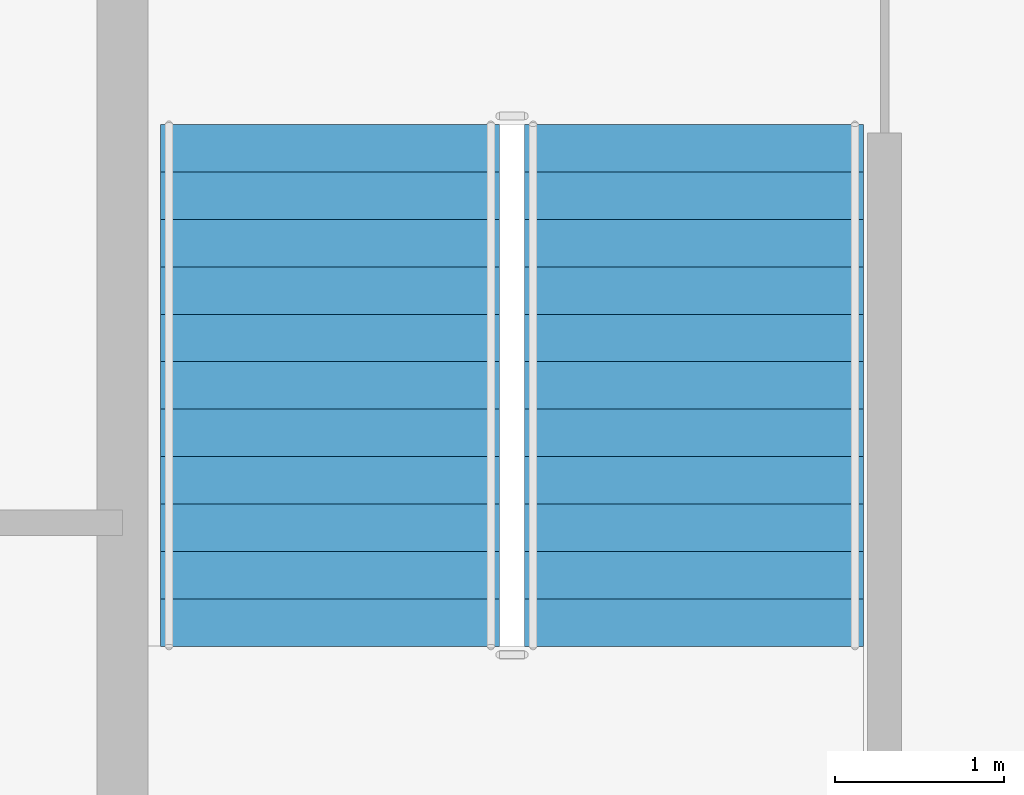
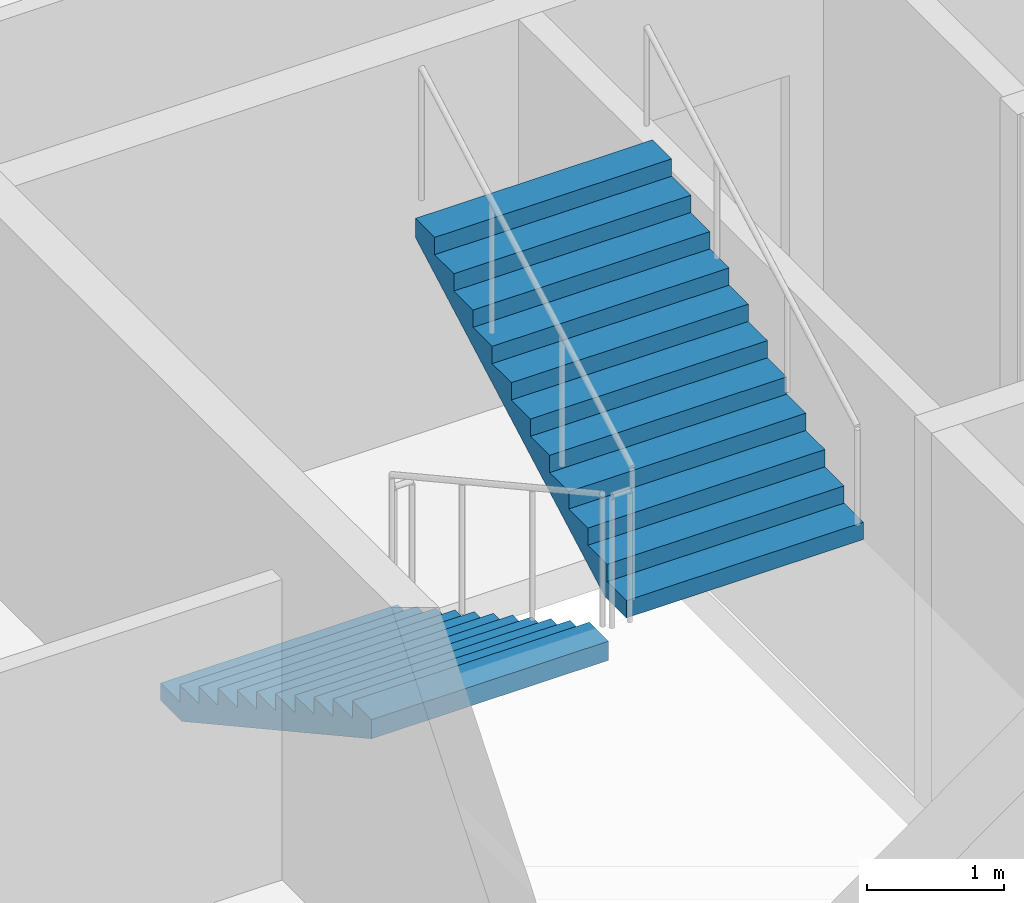
# One storey, part 9 of 17: 2 stair flights, 1 element without a shape of its own.
"""IFC4 building model written with IfcOpenShell, lengths in metres."""

from ifc_helpers import new_model, si_unit, direction, frame, origin, place, context, subcontext, project, spatial, polygons, material, type_object, element, aggregate, save


model = new_model("IFC4")

# Units and contexts
model_context = context("Model", 3, precision=1e-05, world=origin(), true_north=direction((0.0, 1.0)))
body_context = subcontext(model_context, "Body", "Model", "MODEL_VIEW")
ifc_project = project(units=[si_unit("LENGTHUNIT", "METRE"), si_unit("AREAUNIT", "SQUARE_METRE"), si_unit("VOLUMEUNIT", "CUBIC_METRE"), si_unit("PLANEANGLEUNIT", "RADIAN"), si_unit("MASSUNIT", "GRAM", prefix="KILO")], contexts=[model_context])

# Site, building, storey
site_placement = place(None, origin())
site = spatial("IfcSite", under=ifc_project, at=site_placement, CompositionType="ELEMENT")
building_placement = place(site_placement, origin())
building = spatial("IfcBuilding", under=site, at=building_placement, Name="Caravel Reach Hotel and Residences", CompositionType="ELEMENT")
storey_placement = place(building_placement, frame((0.0, 0.0, 192.39990234375)))
storey = spatial("IfcBuildingStorey", under=building, at=storey_placement, Name="L48", CompositionType="ELEMENT", Elevation=192.39990234375)

# Stair, stair flights
ifc_material_1 = material(Name="Concrete C40", Category="concrete")
stair_type = type_object("IfcStairType", Name="Core stair", PredefinedType="HALF_TURN_STAIR", material=ifc_material_1)
stair_placement = place(storey_placement, origin())
stair = element("IfcStair", 1, at=stair_placement, inside=storey, type_object=stair_type, Name="L48 Exit stair A", PredefinedType="HALF_TURN_STAIR")
ifc_material_2 = material(Name="Concrete C40", Category="concrete")
stair_flight_type = type_object("IfcStairFlightType", Name="Core stair flight", PredefinedType="STRAIGHT", material=ifc_material_2)
stair_flight_1_placement = place(storey_placement, frame((19.22509765625, 29.35009765625, 0.0), z_axis=(0.0, 0.0, 1.0), x_axis=(0.0, -1.0, 0.0)))
stair_flight_1 = element("IfcStairFlight", 2, at=stair_flight_1_placement, type_object=stair_flight_type, Name="ST-A flight 1", NumberOfRisers=12, NumberOfTreads=11, PredefinedType="STRAIGHT", RiserHeight=0.154166667, TreadLength=0.28, context=body_context, shape_type="Tessellation", body=[
    polygons([(0.3107950034306102, 1.0, 0.0), (0.3107950034306102, 0.6666666666666667, 0.0), (0.3107950034306102, 0.33333333333333337, 0.0), (0.3107950034306102, 0.0, 0.0), (0.3107950034306102, -0.33333333333333326, 0.0), (0.3107950034306102, -0.6666666666666667, 0.0), (0.3107950034306102, -1.0, 0.0), (3.081, 1.0, 1.524711087717319), (3.081, 0.6666666666666667, 1.524711087717319), (3.081, 0.33333333333333337, 1.524711087717319), (3.081, 0.0, 1.524711087717319), (3.081, -0.33333333333333326, 1.524711087717319), (3.081, -0.6666666666666667, 1.524711087717319), (3.081, -1.0, 1.524711087717319), (3.081, 1.0, 1.695833337), (3.081, 0.6666666666666667, 1.695833337), (3.081, 0.33333333333333337, 1.695833337), (3.081, 0.0, 1.695833337), (3.081, -0.33333333333333326, 1.695833337), (3.081, -0.6666666666666667, 1.695833337), (3.081, -1.0, 1.695833337), (2.8000000000000003, 1.0, 1.695833337), (2.8000000000000003, 0.6666666666666667, 1.695833337), (2.8000000000000003, 0.33333333333333337, 1.695833337), (2.8000000000000003, 0.0, 1.695833337), (2.8000000000000003, -0.33333333333333326, 1.695833337), (2.8000000000000003, -0.6666666666666667, 1.695833337), (2.8000000000000003, -1.0, 1.695833337), (2.8000000000000003, 1.0, 1.5416666700000001), (2.8000000000000003, 0.6666666666666667, 1.5416666700000001), (2.8000000000000003, 0.33333333333333337, 1.5416666700000001), (2.8000000000000003, 0.0, 1.5416666700000001), (2.8000000000000003, -0.33333333333333326, 1.5416666700000001), (2.8000000000000003, -0.6666666666666667, 1.5416666700000001), (2.8000000000000003, -1.0, 1.5416666700000001), (2.5200000000000005, 1.0, 1.5416666700000001), (2.5200000000000005, 0.6666666666666667, 1.5416666700000001), (2.5200000000000005, 0.33333333333333337, 1.5416666700000001), (2.5200000000000005, 0.0, 1.5416666700000001), (2.5200000000000005, -0.33333333333333326, 1.5416666700000001), (2.5200000000000005, -0.6666666666666667, 1.5416666700000001), (2.5200000000000005, -1.0, 1.5416666700000001), (2.5200000000000005, 1.0, 1.387500003), (2.5200000000000005, 0.6666666666666667, 1.387500003), (2.5200000000000005, 0.33333333333333337, 1.387500003), (2.5200000000000005, 0.0, 1.387500003), (2.5200000000000005, -0.33333333333333326, 1.387500003), (2.5200000000000005, -0.6666666666666667, 1.387500003), (2.5200000000000005, -1.0, 1.387500003), (2.24, 1.0, 1.387500003), (2.24, 0.6666666666666667, 1.387500003), (2.24, 0.33333333333333337, 1.387500003), (2.24, 0.0, 1.387500003), (2.24, -0.33333333333333326, 1.387500003), (2.24, -0.6666666666666667, 1.387500003), (2.24, -1.0, 1.387500003), (2.24, 1.0, 1.233333336), (2.24, 0.6666666666666667, 1.233333336), (2.24, 0.33333333333333337, 1.233333336), (2.24, 0.0, 1.233333336), (2.24, -0.33333333333333326, 1.233333336), (2.24, -0.6666666666666667, 1.233333336), (2.24, -1.0, 1.233333336), (1.9600000000000002, 1.0, 1.233333336), (1.9600000000000002, 0.6666666666666667, 1.233333336), (1.9600000000000002, 0.33333333333333337, 1.233333336), (1.9600000000000002, 0.0, 1.233333336), (1.9600000000000002, -0.33333333333333326, 1.233333336), (1.9600000000000002, -0.6666666666666667, 1.233333336), (1.9600000000000002, -1.0, 1.233333336), (1.9600000000000002, 1.0, 1.0791666690000001), (1.9600000000000002, 0.6666666666666667, 1.0791666690000001), (1.9600000000000002, 0.33333333333333337, 1.0791666690000001), (1.9600000000000002, 0.0, 1.0791666690000001), (1.9600000000000002, -0.33333333333333326, 1.0791666690000001), (1.9600000000000002, -0.6666666666666667, 1.0791666690000001), (1.9600000000000002, -1.0, 1.0791666690000001), (1.6800000000000002, 1.0, 1.0791666690000001), (1.6800000000000002, 0.6666666666666667, 1.0791666690000001), (1.6800000000000002, 0.33333333333333337, 1.0791666690000001), (1.6800000000000002, 0.0, 1.0791666690000001), (1.6800000000000002, -0.33333333333333326, 1.0791666690000001), (1.6800000000000002, -0.6666666666666667, 1.0791666690000001), (1.6800000000000002, -1.0, 1.0791666690000001), (1.6800000000000002, 1.0, 0.925000002), (1.6800000000000002, 0.6666666666666667, 0.925000002), (1.6800000000000002, 0.33333333333333337, 0.925000002), (1.6800000000000002, 0.0, 0.925000002), (1.6800000000000002, -0.33333333333333326, 0.925000002), (1.6800000000000002, -0.6666666666666667, 0.925000002), (1.6800000000000002, -1.0, 0.925000002), (1.4000000000000001, 1.0, 0.925000002), (1.4000000000000001, 0.6666666666666667, 0.925000002), (1.4000000000000001, 0.33333333333333337, 0.925000002), (1.4000000000000001, 0.0, 0.925000002), (1.4000000000000001, -0.33333333333333326, 0.925000002), (1.4000000000000001, -0.6666666666666667, 0.925000002), (1.4000000000000001, -1.0, 0.925000002), (1.4000000000000001, 1.0, 0.7708333350000001), (1.4000000000000001, 0.6666666666666667, 0.7708333350000001), (1.4000000000000001, 0.33333333333333337, 0.7708333350000001), (1.4000000000000001, 0.0, 0.7708333350000001), (1.4000000000000001, -0.33333333333333326, 0.7708333350000001), (1.4000000000000001, -0.6666666666666667, 0.7708333350000001), (1.4000000000000001, -1.0, 0.7708333350000001), (1.12, 1.0, 0.7708333350000001), (1.12, 0.6666666666666667, 0.7708333350000001), (1.12, 0.33333333333333337, 0.7708333350000001), (1.12, 0.0, 0.7708333350000001), (1.12, -0.33333333333333326, 0.7708333350000001), (1.12, -0.6666666666666667, 0.7708333350000001), (1.12, -1.0, 0.7708333350000001), (1.12, 1.0, 0.616666668), (1.12, 0.6666666666666667, 0.616666668), (1.12, 0.33333333333333337, 0.616666668), (1.12, 0.0, 0.616666668), (1.12, -0.33333333333333326, 0.616666668), (1.12, -0.6666666666666667, 0.616666668), (1.12, -1.0, 0.616666668), (0.8400000000000001, 1.0, 0.616666668), (0.8400000000000001, 0.6666666666666667, 0.616666668), (0.8400000000000001, 0.33333333333333337, 0.616666668), (0.8400000000000001, 0.0, 0.616666668), (0.8400000000000001, -0.33333333333333326, 0.616666668), (0.8400000000000001, -0.6666666666666667, 0.616666668), (0.8400000000000001, -1.0, 0.616666668), (0.8400000000000001, 1.0, 0.462500001), (0.8400000000000001, 0.6666666666666667, 0.462500001), (0.8400000000000001, 0.33333333333333337, 0.462500001), (0.8400000000000001, 0.0, 0.462500001), (0.8400000000000001, -0.33333333333333326, 0.462500001), (0.8400000000000001, -0.6666666666666667, 0.462500001), (0.8400000000000001, -1.0, 0.462500001), (0.56, 1.0, 0.462500001), (0.56, 0.6666666666666667, 0.462500001), (0.56, 0.33333333333333337, 0.462500001), (0.56, 0.0, 0.462500001), (0.56, -0.33333333333333326, 0.462500001), (0.56, -0.6666666666666667, 0.462500001), (0.56, -1.0, 0.462500001), (0.56, 1.0, 0.308333334), (0.56, 0.6666666666666667, 0.308333334), (0.56, 0.33333333333333337, 0.308333334), (0.56, 0.0, 0.308333334), (0.56, -0.33333333333333326, 0.308333334), (0.56, -0.6666666666666667, 0.308333334), (0.56, -1.0, 0.308333334), (0.28, 1.0, 0.308333334), (0.28, 0.6666666666666667, 0.308333334), (0.28, 0.33333333333333337, 0.308333334), (0.28, 0.0, 0.308333334), (0.28, -0.33333333333333326, 0.308333334), (0.28, -0.6666666666666667, 0.308333334), (0.28, -1.0, 0.308333334), (0.28, 1.0, 0.154166667), (0.28, 0.6666666666666667, 0.154166667), (0.28, 0.33333333333333337, 0.154166667), (0.28, 0.0, 0.154166667), (0.28, -0.33333333333333326, 0.154166667), (0.28, -0.6666666666666667, 0.154166667), (0.28, -1.0, 0.154166667), (-0.001, 1.0, 0.154166667), (-0.001, 0.6666666666666667, 0.154166667), (-0.001, 0.33333333333333337, 0.154166667), (-0.001, 0.0, 0.154166667), (-0.001, -0.33333333333333326, 0.154166667), (-0.001, -0.6666666666666667, 0.154166667), (-0.001, -1.0, 0.154166667), (-0.001, 1.0, 0.0), (-0.001, 0.6666666666666667, 0.0), (-0.001, 0.33333333333333337, 0.0), (-0.001, 0.0, 0.0), (-0.001, -0.33333333333333326, 0.0), (-0.001, -0.6666666666666667, 0.0), (-0.001, -1.0, 0.0)], [[[169, 162, 155, 148, 141, 134, 127, 120, 113, 106, 99, 92, 85, 78, 71, 64, 57, 50, 43, 36, 29, 22, 15, 8, 1]], [[7, 14, 21, 28, 35, 42, 49, 56, 63, 70, 77, 84, 91, 98, 105, 112, 119, 126, 133, 140, 147, 154, 161, 168, 175]], [[1, 8, 9, 2]], [[2, 9, 10, 3]], [[3, 10, 11, 4]], [[4, 11, 12, 5]], [[5, 12, 13, 6]], [[6, 13, 14, 7]], [[8, 15, 16, 9]], [[9, 16, 17, 10]], [[10, 17, 18, 11]], [[11, 18, 19, 12]], [[12, 19, 20, 13]], [[13, 20, 21, 14]], [[15, 22, 23, 16]], [[16, 23, 24, 17]], [[17, 24, 25, 18]], [[18, 25, 26, 19]], [[19, 26, 27, 20]], [[20, 27, 28, 21]], [[22, 29, 30, 23]], [[23, 30, 31, 24]], [[24, 31, 32, 25]], [[25, 32, 33, 26]], [[26, 33, 34, 27]], [[27, 34, 35, 28]], [[29, 36, 37, 30]], [[30, 37, 38, 31]], [[31, 38, 39, 32]], [[32, 39, 40, 33]], [[33, 40, 41, 34]], [[34, 41, 42, 35]], [[36, 43, 44, 37]], [[37, 44, 45, 38]], [[38, 45, 46, 39]], [[39, 46, 47, 40]], [[40, 47, 48, 41]], [[41, 48, 49, 42]], [[43, 50, 51, 44]], [[44, 51, 52, 45]], [[45, 52, 53, 46]], [[46, 53, 54, 47]], [[47, 54, 55, 48]], [[48, 55, 56, 49]], [[50, 57, 58, 51]], [[51, 58, 59, 52]], [[52, 59, 60, 53]], [[53, 60, 61, 54]], [[54, 61, 62, 55]], [[55, 62, 63, 56]], [[57, 64, 65, 58]], [[58, 65, 66, 59]], [[59, 66, 67, 60]], [[60, 67, 68, 61]], [[61, 68, 69, 62]], [[62, 69, 70, 63]], [[64, 71, 72, 65]], [[65, 72, 73, 66]], [[66, 73, 74, 67]], [[67, 74, 75, 68]], [[68, 75, 76, 69]], [[69, 76, 77, 70]], [[71, 78, 79, 72]], [[72, 79, 80, 73]], [[73, 80, 81, 74]], [[74, 81, 82, 75]], [[75, 82, 83, 76]], [[76, 83, 84, 77]], [[78, 85, 86, 79]], [[79, 86, 87, 80]], [[80, 87, 88, 81]], [[81, 88, 89, 82]], [[82, 89, 90, 83]], [[83, 90, 91, 84]], [[85, 92, 93, 86]], [[86, 93, 94, 87]], [[87, 94, 95, 88]], [[88, 95, 96, 89]], [[89, 96, 97, 90]], [[90, 97, 98, 91]], [[92, 99, 100, 93]], [[93, 100, 101, 94]], [[94, 101, 102, 95]], [[95, 102, 103, 96]], [[96, 103, 104, 97]], [[97, 104, 105, 98]], [[99, 106, 107, 100]], [[100, 107, 108, 101]], [[101, 108, 109, 102]], [[102, 109, 110, 103]], [[103, 110, 111, 104]], [[104, 111, 112, 105]], [[106, 113, 114, 107]], [[107, 114, 115, 108]], [[108, 115, 116, 109]], [[109, 116, 117, 110]], [[110, 117, 118, 111]], [[111, 118, 119, 112]], [[113, 120, 121, 114]], [[114, 121, 122, 115]], [[115, 122, 123, 116]], [[116, 123, 124, 117]], [[117, 124, 125, 118]], [[118, 125, 126, 119]], [[120, 127, 128, 121]], [[121, 128, 129, 122]], [[122, 129, 130, 123]], [[123, 130, 131, 124]], [[124, 131, 132, 125]], [[125, 132, 133, 126]], [[127, 134, 135, 128]], [[128, 135, 136, 129]], [[129, 136, 137, 130]], [[130, 137, 138, 131]], [[131, 138, 139, 132]], [[132, 139, 140, 133]], [[134, 141, 142, 135]], [[135, 142, 143, 136]], [[136, 143, 144, 137]], [[137, 144, 145, 138]], [[138, 145, 146, 139]], [[139, 146, 147, 140]], [[141, 148, 149, 142]], [[142, 149, 150, 143]], [[143, 150, 151, 144]], [[144, 151, 152, 145]], [[145, 152, 153, 146]], [[146, 153, 154, 147]], [[148, 155, 156, 149]], [[149, 156, 157, 150]], [[150, 157, 158, 151]], [[151, 158, 159, 152]], [[152, 159, 160, 153]], [[153, 160, 161, 154]], [[155, 162, 163, 156]], [[156, 163, 164, 157]], [[157, 164, 165, 158]], [[158, 165, 166, 159]], [[159, 166, 167, 160]], [[160, 167, 168, 161]], [[162, 169, 170, 163]], [[163, 170, 171, 164]], [[164, 171, 172, 165]], [[165, 172, 173, 166]], [[166, 173, 174, 167]], [[167, 174, 175, 168]], [[169, 1, 2, 170]], [[170, 2, 3, 171]], [[171, 3, 4, 172]], [[172, 4, 5, 173]], [[173, 5, 6, 174]], [[174, 6, 7, 175]]], closed=True),
])
stair_flight_2_placement = place(storey_placement, frame((21.375, 26.27001953125, 1.85009765625), z_axis=(0.0, 0.0, 1.0), x_axis=(0.0, 1.0, 0.0)))
stair_flight_2 = element("IfcStairFlight", 3, at=stair_flight_2_placement, type_object=stair_flight_type, Name="ST-A flight 2", NumberOfRisers=12, NumberOfTreads=11, PredefinedType="STRAIGHT", RiserHeight=0.154166667, TreadLength=0.28, context=body_context, shape_type="Tessellation", body=[
    polygons([(0.3107950034306102, 1.0, 0.0), (0.3107950034306102, 0.6666666666666667, 0.0), (0.3107950034306102, 0.33333333333333337, 0.0), (0.3107950034306102, 0.0, 0.0), (0.3107950034306102, -0.33333333333333326, 0.0), (0.3107950034306102, -0.6666666666666667, 0.0), (0.3107950034306102, -1.0, 0.0), (3.081, 1.0, 1.524711087717319), (3.081, 0.6666666666666667, 1.524711087717319), (3.081, 0.33333333333333337, 1.524711087717319), (3.081, 0.0, 1.524711087717319), (3.081, -0.33333333333333326, 1.524711087717319), (3.081, -0.6666666666666667, 1.524711087717319), (3.081, -1.0, 1.524711087717319), (3.081, 1.0, 1.695833337), (3.081, 0.6666666666666667, 1.695833337), (3.081, 0.33333333333333337, 1.695833337), (3.081, 0.0, 1.695833337), (3.081, -0.33333333333333326, 1.695833337), (3.081, -0.6666666666666667, 1.695833337), (3.081, -1.0, 1.695833337), (2.8000000000000003, 1.0, 1.695833337), (2.8000000000000003, 0.6666666666666667, 1.695833337), (2.8000000000000003, 0.33333333333333337, 1.695833337), (2.8000000000000003, 0.0, 1.695833337), (2.8000000000000003, -0.33333333333333326, 1.695833337), (2.8000000000000003, -0.6666666666666667, 1.695833337), (2.8000000000000003, -1.0, 1.695833337), (2.8000000000000003, 1.0, 1.5416666700000001), (2.8000000000000003, 0.6666666666666667, 1.5416666700000001), (2.8000000000000003, 0.33333333333333337, 1.5416666700000001), (2.8000000000000003, 0.0, 1.5416666700000001), (2.8000000000000003, -0.33333333333333326, 1.5416666700000001), (2.8000000000000003, -0.6666666666666667, 1.5416666700000001), (2.8000000000000003, -1.0, 1.5416666700000001), (2.5200000000000005, 1.0, 1.5416666700000001), (2.5200000000000005, 0.6666666666666667, 1.5416666700000001), (2.5200000000000005, 0.33333333333333337, 1.5416666700000001), (2.5200000000000005, 0.0, 1.5416666700000001), (2.5200000000000005, -0.33333333333333326, 1.5416666700000001), (2.5200000000000005, -0.6666666666666667, 1.5416666700000001), (2.5200000000000005, -1.0, 1.5416666700000001), (2.5200000000000005, 1.0, 1.387500003), (2.5200000000000005, 0.6666666666666667, 1.387500003), (2.5200000000000005, 0.33333333333333337, 1.387500003), (2.5200000000000005, 0.0, 1.387500003), (2.5200000000000005, -0.33333333333333326, 1.387500003), (2.5200000000000005, -0.6666666666666667, 1.387500003), (2.5200000000000005, -1.0, 1.387500003), (2.24, 1.0, 1.387500003), (2.24, 0.6666666666666667, 1.387500003), (2.24, 0.33333333333333337, 1.387500003), (2.24, 0.0, 1.387500003), (2.24, -0.33333333333333326, 1.387500003), (2.24, -0.6666666666666667, 1.387500003), (2.24, -1.0, 1.387500003), (2.24, 1.0, 1.233333336), (2.24, 0.6666666666666667, 1.233333336), (2.24, 0.33333333333333337, 1.233333336), (2.24, 0.0, 1.233333336), (2.24, -0.33333333333333326, 1.233333336), (2.24, -0.6666666666666667, 1.233333336), (2.24, -1.0, 1.233333336), (1.9600000000000002, 1.0, 1.233333336), (1.9600000000000002, 0.6666666666666667, 1.233333336), (1.9600000000000002, 0.33333333333333337, 1.233333336), (1.9600000000000002, 0.0, 1.233333336), (1.9600000000000002, -0.33333333333333326, 1.233333336), (1.9600000000000002, -0.6666666666666667, 1.233333336), (1.9600000000000002, -1.0, 1.233333336), (1.9600000000000002, 1.0, 1.0791666690000001), (1.9600000000000002, 0.6666666666666667, 1.0791666690000001), (1.9600000000000002, 0.33333333333333337, 1.0791666690000001), (1.9600000000000002, 0.0, 1.0791666690000001), (1.9600000000000002, -0.33333333333333326, 1.0791666690000001), (1.9600000000000002, -0.6666666666666667, 1.0791666690000001), (1.9600000000000002, -1.0, 1.0791666690000001), (1.6800000000000002, 1.0, 1.0791666690000001), (1.6800000000000002, 0.6666666666666667, 1.0791666690000001), (1.6800000000000002, 0.33333333333333337, 1.0791666690000001), (1.6800000000000002, 0.0, 1.0791666690000001), (1.6800000000000002, -0.33333333333333326, 1.0791666690000001), (1.6800000000000002, -0.6666666666666667, 1.0791666690000001), (1.6800000000000002, -1.0, 1.0791666690000001), (1.6800000000000002, 1.0, 0.925000002), (1.6800000000000002, 0.6666666666666667, 0.925000002), (1.6800000000000002, 0.33333333333333337, 0.925000002), (1.6800000000000002, 0.0, 0.925000002), (1.6800000000000002, -0.33333333333333326, 0.925000002), (1.6800000000000002, -0.6666666666666667, 0.925000002), (1.6800000000000002, -1.0, 0.925000002), (1.4000000000000001, 1.0, 0.925000002), (1.4000000000000001, 0.6666666666666667, 0.925000002), (1.4000000000000001, 0.33333333333333337, 0.925000002), (1.4000000000000001, 0.0, 0.925000002), (1.4000000000000001, -0.33333333333333326, 0.925000002), (1.4000000000000001, -0.6666666666666667, 0.925000002), (1.4000000000000001, -1.0, 0.925000002), (1.4000000000000001, 1.0, 0.7708333350000001), (1.4000000000000001, 0.6666666666666667, 0.7708333350000001), (1.4000000000000001, 0.33333333333333337, 0.7708333350000001), (1.4000000000000001, 0.0, 0.7708333350000001), (1.4000000000000001, -0.33333333333333326, 0.7708333350000001), (1.4000000000000001, -0.6666666666666667, 0.7708333350000001), (1.4000000000000001, -1.0, 0.7708333350000001), (1.12, 1.0, 0.7708333350000001), (1.12, 0.6666666666666667, 0.7708333350000001), (1.12, 0.33333333333333337, 0.7708333350000001), (1.12, 0.0, 0.7708333350000001), (1.12, -0.33333333333333326, 0.7708333350000001), (1.12, -0.6666666666666667, 0.7708333350000001), (1.12, -1.0, 0.7708333350000001), (1.12, 1.0, 0.616666668), (1.12, 0.6666666666666667, 0.616666668), (1.12, 0.33333333333333337, 0.616666668), (1.12, 0.0, 0.616666668), (1.12, -0.33333333333333326, 0.616666668), (1.12, -0.6666666666666667, 0.616666668), (1.12, -1.0, 0.616666668), (0.8400000000000001, 1.0, 0.616666668), (0.8400000000000001, 0.6666666666666667, 0.616666668), (0.8400000000000001, 0.33333333333333337, 0.616666668), (0.8400000000000001, 0.0, 0.616666668), (0.8400000000000001, -0.33333333333333326, 0.616666668), (0.8400000000000001, -0.6666666666666667, 0.616666668), (0.8400000000000001, -1.0, 0.616666668), (0.8400000000000001, 1.0, 0.462500001), (0.8400000000000001, 0.6666666666666667, 0.462500001), (0.8400000000000001, 0.33333333333333337, 0.462500001), (0.8400000000000001, 0.0, 0.462500001), (0.8400000000000001, -0.33333333333333326, 0.462500001), (0.8400000000000001, -0.6666666666666667, 0.462500001), (0.8400000000000001, -1.0, 0.462500001), (0.56, 1.0, 0.462500001), (0.56, 0.6666666666666667, 0.462500001), (0.56, 0.33333333333333337, 0.462500001), (0.56, 0.0, 0.462500001), (0.56, -0.33333333333333326, 0.462500001), (0.56, -0.6666666666666667, 0.462500001), (0.56, -1.0, 0.462500001), (0.56, 1.0, 0.308333334), (0.56, 0.6666666666666667, 0.308333334), (0.56, 0.33333333333333337, 0.308333334), (0.56, 0.0, 0.308333334), (0.56, -0.33333333333333326, 0.308333334), (0.56, -0.6666666666666667, 0.308333334), (0.56, -1.0, 0.308333334), (0.28, 1.0, 0.308333334), (0.28, 0.6666666666666667, 0.308333334), (0.28, 0.33333333333333337, 0.308333334), (0.28, 0.0, 0.308333334), (0.28, -0.33333333333333326, 0.308333334), (0.28, -0.6666666666666667, 0.308333334), (0.28, -1.0, 0.308333334), (0.28, 1.0, 0.154166667), (0.28, 0.6666666666666667, 0.154166667), (0.28, 0.33333333333333337, 0.154166667), (0.28, 0.0, 0.154166667), (0.28, -0.33333333333333326, 0.154166667), (0.28, -0.6666666666666667, 0.154166667), (0.28, -1.0, 0.154166667), (-0.001, 1.0, 0.154166667), (-0.001, 0.6666666666666667, 0.154166667), (-0.001, 0.33333333333333337, 0.154166667), (-0.001, 0.0, 0.154166667), (-0.001, -0.33333333333333326, 0.154166667), (-0.001, -0.6666666666666667, 0.154166667), (-0.001, -1.0, 0.154166667), (-0.001, 1.0, 0.0), (-0.001, 0.6666666666666667, 0.0), (-0.001, 0.33333333333333337, 0.0), (-0.001, 0.0, 0.0), (-0.001, -0.33333333333333326, 0.0), (-0.001, -0.6666666666666667, 0.0), (-0.001, -1.0, 0.0)], [[[169, 162, 155, 148, 141, 134, 127, 120, 113, 106, 99, 92, 85, 78, 71, 64, 57, 50, 43, 36, 29, 22, 15, 8, 1]], [[7, 14, 21, 28, 35, 42, 49, 56, 63, 70, 77, 84, 91, 98, 105, 112, 119, 126, 133, 140, 147, 154, 161, 168, 175]], [[1, 8, 9, 2]], [[2, 9, 10, 3]], [[3, 10, 11, 4]], [[4, 11, 12, 5]], [[5, 12, 13, 6]], [[6, 13, 14, 7]], [[8, 15, 16, 9]], [[9, 16, 17, 10]], [[10, 17, 18, 11]], [[11, 18, 19, 12]], [[12, 19, 20, 13]], [[13, 20, 21, 14]], [[15, 22, 23, 16]], [[16, 23, 24, 17]], [[17, 24, 25, 18]], [[18, 25, 26, 19]], [[19, 26, 27, 20]], [[20, 27, 28, 21]], [[22, 29, 30, 23]], [[23, 30, 31, 24]], [[24, 31, 32, 25]], [[25, 32, 33, 26]], [[26, 33, 34, 27]], [[27, 34, 35, 28]], [[29, 36, 37, 30]], [[30, 37, 38, 31]], [[31, 38, 39, 32]], [[32, 39, 40, 33]], [[33, 40, 41, 34]], [[34, 41, 42, 35]], [[36, 43, 44, 37]], [[37, 44, 45, 38]], [[38, 45, 46, 39]], [[39, 46, 47, 40]], [[40, 47, 48, 41]], [[41, 48, 49, 42]], [[43, 50, 51, 44]], [[44, 51, 52, 45]], [[45, 52, 53, 46]], [[46, 53, 54, 47]], [[47, 54, 55, 48]], [[48, 55, 56, 49]], [[50, 57, 58, 51]], [[51, 58, 59, 52]], [[52, 59, 60, 53]], [[53, 60, 61, 54]], [[54, 61, 62, 55]], [[55, 62, 63, 56]], [[57, 64, 65, 58]], [[58, 65, 66, 59]], [[59, 66, 67, 60]], [[60, 67, 68, 61]], [[61, 68, 69, 62]], [[62, 69, 70, 63]], [[64, 71, 72, 65]], [[65, 72, 73, 66]], [[66, 73, 74, 67]], [[67, 74, 75, 68]], [[68, 75, 76, 69]], [[69, 76, 77, 70]], [[71, 78, 79, 72]], [[72, 79, 80, 73]], [[73, 80, 81, 74]], [[74, 81, 82, 75]], [[75, 82, 83, 76]], [[76, 83, 84, 77]], [[78, 85, 86, 79]], [[79, 86, 87, 80]], [[80, 87, 88, 81]], [[81, 88, 89, 82]], [[82, 89, 90, 83]], [[83, 90, 91, 84]], [[85, 92, 93, 86]], [[86, 93, 94, 87]], [[87, 94, 95, 88]], [[88, 95, 96, 89]], [[89, 96, 97, 90]], [[90, 97, 98, 91]], [[92, 99, 100, 93]], [[93, 100, 101, 94]], [[94, 101, 102, 95]], [[95, 102, 103, 96]], [[96, 103, 104, 97]], [[97, 104, 105, 98]], [[99, 106, 107, 100]], [[100, 107, 108, 101]], [[101, 108, 109, 102]], [[102, 109, 110, 103]], [[103, 110, 111, 104]], [[104, 111, 112, 105]], [[106, 113, 114, 107]], [[107, 114, 115, 108]], [[108, 115, 116, 109]], [[109, 116, 117, 110]], [[110, 117, 118, 111]], [[111, 118, 119, 112]], [[113, 120, 121, 114]], [[114, 121, 122, 115]], [[115, 122, 123, 116]], [[116, 123, 124, 117]], [[117, 124, 125, 118]], [[118, 125, 126, 119]], [[120, 127, 128, 121]], [[121, 128, 129, 122]], [[122, 129, 130, 123]], [[123, 130, 131, 124]], [[124, 131, 132, 125]], [[125, 132, 133, 126]], [[127, 134, 135, 128]], [[128, 135, 136, 129]], [[129, 136, 137, 130]], [[130, 137, 138, 131]], [[131, 138, 139, 132]], [[132, 139, 140, 133]], [[134, 141, 142, 135]], [[135, 142, 143, 136]], [[136, 143, 144, 137]], [[137, 144, 145, 138]], [[138, 145, 146, 139]], [[139, 146, 147, 140]], [[141, 148, 149, 142]], [[142, 149, 150, 143]], [[143, 150, 151, 144]], [[144, 151, 152, 145]], [[145, 152, 153, 146]], [[146, 153, 154, 147]], [[148, 155, 156, 149]], [[149, 156, 157, 150]], [[150, 157, 158, 151]], [[151, 158, 159, 152]], [[152, 159, 160, 153]], [[153, 160, 161, 154]], [[155, 162, 163, 156]], [[156, 163, 164, 157]], [[157, 164, 165, 158]], [[158, 165, 166, 159]], [[159, 166, 167, 160]], [[160, 167, 168, 161]], [[162, 169, 170, 163]], [[163, 170, 171, 164]], [[164, 171, 172, 165]], [[165, 172, 173, 166]], [[166, 173, 174, 167]], [[167, 174, 175, 168]], [[169, 1, 2, 170]], [[170, 2, 3, 171]], [[171, 3, 4, 172]], [[172, 4, 5, 173]], [[173, 5, 6, 174]], [[174, 6, 7, 175]]], closed=True),
])
aggregate(stair, [stair_flight_1, stair_flight_2])

save(model, "model.ifc")
